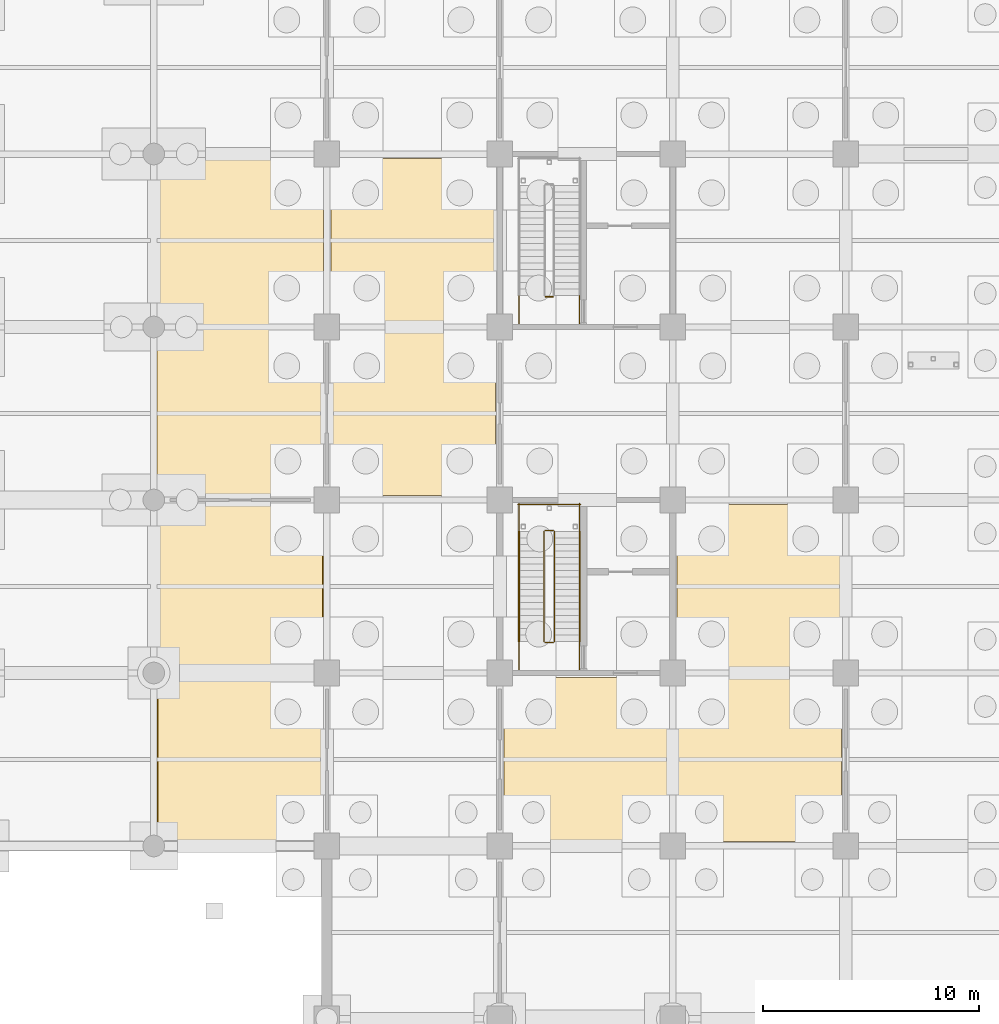
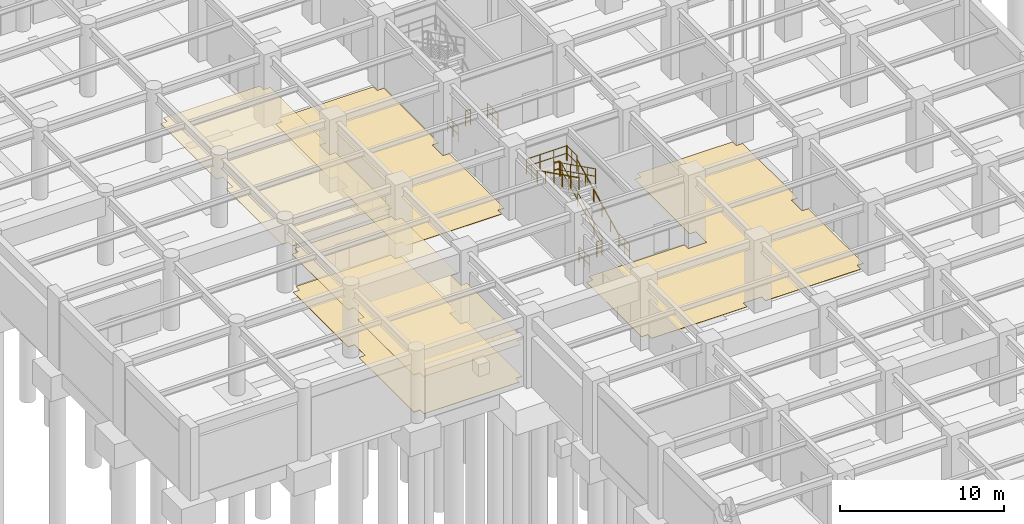
# One storey, part 87 of 97: 14 railings, 5 coverings.
"""IFC4 building model written with IfcOpenShell, lengths in metres."""

from ifc_helpers import new_model, si_unit, direction, frame, origin, origin_2d, place, context, subcontext, project, spatial, polyline, circle, outline, extrude, material, layer, layer_set, type_object, element, save


model = new_model("IFC4")

# Units and contexts
model_context = context("Model", 3, precision=1e-05, world=origin(), true_north=direction((0.0, 1.0)))
body_context = subcontext(model_context, "Body", "Model", "MODEL_VIEW")
ifc_project = project(units=[si_unit("LENGTHUNIT", "METRE"), si_unit("AREAUNIT", "SQUARE_METRE"), si_unit("VOLUMEUNIT", "CUBIC_METRE"), si_unit("PLANEANGLEUNIT", "RADIAN"), si_unit("MASSUNIT", "GRAM", prefix="KILO")], contexts=[model_context])

# Site, building, storey
site_placement = place(None, origin())
site = spatial("IfcSite", under=ifc_project, at=site_placement, CompositionType="ELEMENT")
building_placement = place(site_placement, origin())
building = spatial("IfcBuilding", under=site, at=building_placement, Name="Haebicheon Civic Stadium", CompositionType="ELEMENT")
storey_placement = place(building_placement, frame((0.0, 0.0, -5.39990234375)))
storey = spatial("IfcBuildingStorey", under=building, at=storey_placement, Name="B1", CompositionType="ELEMENT", Elevation=-5.39990234375)

# Coverings
ifc_material_1 = material(Name="Perforated mineral-fibre acoustic board", Category="gypsum")
ifc_layer_1 = layer(ifc_material_1, 0.0400390625, Name="Perforated mineral-fibre acoustic board")
ifc_layer_set_1 = layer_set([ifc_layer_1], Name="Perforated mineral-fibre acoustic board")
covering_type_1 = type_object("IfcCoveringType", Name="COV-CLG-AC", PredefinedType="CEILING", material=ifc_layer_set_1)
covering_1_placement = place(storey_placement, frame((0.0, 0.0, 2.809814453125)))
element("IfcCovering", 1, at=covering_1_placement, inside=storey, type_object=covering_type_1, material=ifc_layer_set_1, Name="B1 Metro Underpass Concourse acoustic ceiling", PredefinedType="CEILING", context=body_context, shape_type="SweptSolid", body=[
    extrude(outline(polyline([(16.594970703125, 32.14501953125), (16.594970703125, 32.594970703125), (16.14501953125, 32.594970703125), (16.14501953125, 39.405029296875), (16.594970703125, 39.405029296875), (16.594970703125, 40.594970703125), (16.14501953125, 40.594970703125), (16.14501953125, 47.405029296875), (16.594970703125, 47.405029296875), (16.594970703125, 47.85498046875), (23.405029296875, 47.85498046875), (23.405029296875, 47.405029296875), (23.85498046875, 47.405029296875), (23.85498046875, 40.594970703125), (23.405029296875, 40.594970703125), (23.405029296875, 39.405029296875), (23.85498046875, 39.405029296875), (23.85498046875, 32.594970703125), (23.405029296875, 32.594970703125), (23.405029296875, 32.14501953125), (16.594970703125, 32.14501953125)])), origin(), (0.0, 0.0, 1.0), 0.0400390625),
])
covering_2_placement = place(storey_placement, frame((0.0, 0.0, 2.809814453125)))
element("IfcCovering", 2, at=covering_2_placement, inside=storey, type_object=covering_type_1, material=ifc_layer_set_1, Name="B1 Bicycle Parking and Locker Store acoustic ceiling", PredefinedType="CEILING", context=body_context, shape_type="SweptSolid", body=[
    extrude(outline(polyline([(16.594970703125, 48.14501953125), (16.594970703125, 48.594970703125), (16.14501953125, 48.594970703125), (16.14501953125, 55.405029296875), (16.594970703125, 55.405029296875), (16.594970703125, 56.594970703125), (16.14501953125, 56.594970703125), (16.14501953125, 63.405029296875), (16.594970703125, 63.405029296875), (16.594970703125, 63.85498046875), (23.405029296875, 63.85498046875), (23.405029296875, 63.405029296875), (23.85498046875, 63.405029296875), (23.85498046875, 56.594970703125), (23.405029296875, 56.594970703125), (23.405029296875, 55.405029296875), (23.85498046875, 55.405029296875), (23.85498046875, 48.594970703125), (23.405029296875, 48.594970703125), (23.405029296875, 48.14501953125), (16.594970703125, 48.14501953125)])), origin(), (0.0, 0.0, 1.0), 0.0400390625),
])
ifc_material_2 = material(Name="Quartz epoxy resin mortar", Category="concrete")
ifc_layer_2 = layer(ifc_material_2, 0.030029296875, Name="Quartz epoxy resin mortar")
ifc_layer_set_2 = layer_set([ifc_layer_2], Name="Quartz epoxy resin mortar")
covering_type_2 = type_object("IfcCoveringType", Name="COV-FLR-EPX", PredefinedType="FLOORING", material=ifc_layer_set_2)
covering_3_placement = place(storey_placement, origin())
element("IfcCovering", 3, at=covering_3_placement, inside=storey, type_object=covering_type_2, material=ifc_layer_set_2, Name="B1 Athlete Indoor Warm-Up Sprint Hall non-slip floor finish", PredefinedType="FLOORING", context=body_context, shape_type="SweptSolid", body=[
    extrude(outline(polyline([(24.64990234375, 48.199951171875), (24.64990234375, 48.64990234375), (24.199951171875, 48.64990234375), (24.199951171875, 55.35009765625), (24.64990234375, 55.35009765625), (24.64990234375, 56.64990234375), (24.199951171875, 56.64990234375), (24.199951171875, 63.35009765625), (24.64990234375, 63.35009765625), (24.64990234375, 63.800048828125), (31.35009765625, 63.800048828125), (31.35009765625, 63.35009765625), (31.800048828125, 63.35009765625), (31.800048828125, 56.64990234375), (31.35009765625, 56.64990234375), (31.35009765625, 55.35009765625), (31.800048828125, 55.35009765625), (31.800048828125, 48.64990234375), (31.35009765625, 48.64990234375), (31.35009765625, 48.199951171875), (24.64990234375, 48.199951171875)])), origin(), (0.0, 0.0, 1.0), 0.02978515625),
])
covering_4_placement = place(storey_placement, origin())
element("IfcCovering", 4, at=covering_4_placement, inside=storey, type_object=covering_type_2, material=ifc_layer_set_2, Name="B1 Post-Match Press Conference Hall non-slip floor finish", PredefinedType="FLOORING", context=body_context, shape_type="SweptSolid", body=[
    extrude(outline(polyline([(32.199951171875, 39.35009765625), (32.64990234375, 39.35009765625), (32.64990234375, 39.800048828125), (39.35009765625, 39.800048828125), (39.35009765625, 39.35009765625), (40.64990234375, 39.35009765625), (40.64990234375, 40.64990234375), (40.199951171875, 40.64990234375), (40.199951171875, 47.35009765625), (40.64990234375, 47.35009765625), (40.64990234375, 47.800048828125), (47.35009765625, 47.800048828125), (47.35009765625, 47.35009765625), (47.800048828125, 47.35009765625), (47.800048828125, 40.64990234375), (47.35009765625, 40.64990234375), (47.35009765625, 39.35009765625), (47.800048828125, 39.35009765625), (47.800048828125, 32.64990234375), (47.35009765625, 32.64990234375), (47.35009765625, 32.199951171875), (40.64990234375, 32.199951171875), (40.64990234375, 32.64990234375), (39.35009765625, 32.64990234375), (39.35009765625, 32.199951171875), (32.64990234375, 32.199951171875), (32.64990234375, 32.64990234375), (32.199951171875, 32.64990234375), (32.199951171875, 39.35009765625)])), origin(), (0.0, 0.0, 1.0), 0.02978515625),
])
covering_5_placement = place(storey_placement, origin())
element("IfcCovering", 5, at=covering_5_placement, inside=storey, type_object=covering_type_2, material=ifc_layer_set_2, Name="B1 Metro Underpass Concourse non-slip floor finish", PredefinedType="FLOORING", context=body_context, shape_type="SweptSolid", body=[
    extrude(outline(polyline([(16.64990234375, 32.199951171875), (16.64990234375, 32.64990234375), (16.199951171875, 32.64990234375), (16.199951171875, 39.35009765625), (16.64990234375, 39.35009765625), (16.64990234375, 40.64990234375), (16.199951171875, 40.64990234375), (16.199951171875, 47.35009765625), (16.64990234375, 47.35009765625), (16.64990234375, 47.800048828125), (23.35009765625, 47.800048828125), (23.35009765625, 47.35009765625), (23.800048828125, 47.35009765625), (23.800048828125, 40.64990234375), (23.35009765625, 40.64990234375), (23.35009765625, 39.35009765625), (23.800048828125, 39.35009765625), (23.800048828125, 32.64990234375), (23.35009765625, 32.64990234375), (23.35009765625, 32.199951171875), (16.64990234375, 32.199951171875)])), origin(), (0.0, 0.0, 1.0), 0.02978515625),
])

# Railings
ifc_material_3 = material(Name="Galvanised painted steel SM355", Category="steel")
railing_type_1 = type_object("IfcRailingType", Name="RL-GRD-1150", PredefinedType="GUARDRAIL", material=ifc_material_3)
railing_1_placement = place(storey_placement, frame((34.530029296875, 41.449951171875, 0.14990234375)))
element("IfcRailing", 6, at=railing_1_placement, inside=storey, type_object=railing_type_1, material=ifc_material_3, Name="B1 ST-01 stair guard 1", PredefinedType="GUARDRAIL", context=body_context, shape_type="SweptSolid", body=[
    extrude(circle(Radius=0.02392578125, at=origin_2d()), frame((0.0, 0.0, 1.1259765625), z_axis=(0.0, 0.894427191, 0.4472135955), x_axis=(-1.0, 0.0, 0.0)), (0.0, 0.0, 1.0), 5.7021484375),
    extrude(circle(Radius=0.02392578125, at=origin_2d()), frame((0.0, 0.0, 0.574951171875), z_axis=(0.0, 0.894427191, 0.4472135955), x_axis=(-1.0, 0.0, 0.0)), (0.0, 0.0, 1.0), 5.7021484375),
    extrude(circle(Radius=0.02099609375, at=origin_2d()), origin(), (0.0, 0.0, 1.0), 1.101806640625),
    extrude(circle(Radius=0.02099609375, at=origin_2d()), frame((0.0, 1.02001953125, 0.510009765625)), (0.0, 0.0, 1.0), 1.101806640625),
    extrude(circle(Radius=0.02099609375, at=origin_2d()), frame((0.0, 2.0400390625, 1.02001953125)), (0.0, 0.0, 1.0), 1.101806640625),
    extrude(circle(Radius=0.02099609375, at=origin_2d()), frame((0.0, 3.06005859375, 1.530029296875)), (0.0, 0.0, 1.0), 1.101806640625),
    extrude(circle(Radius=0.02099609375, at=origin_2d()), frame((0.0, 4.080078125, 2.0400390625)), (0.0, 0.0, 1.0), 1.101806640625),
    extrude(circle(Radius=0.02099609375, at=origin_2d()), frame((0.0, 5.10009765625, 2.550048828125)), (0.0, 0.0, 1.0), 1.101806640625),
])
railing_2_placement = place(storey_placement, frame((34.47998046875, 46.60009765625, 2.699951171875)))
element("IfcRailing", 7, at=railing_2_placement, inside=storey, type_object=railing_type_1, material=ifc_material_3, Name="B1 ST-01 stair guard 2", PredefinedType="GUARDRAIL", context=body_context, shape_type="SweptSolid", body=[
    extrude(circle(Radius=0.02392578125, at=origin_2d()), frame((0.0, 0.0, 1.1259765625), z_axis=(-1.0, 0.0, 0.0), x_axis=(0.0, -1.0, 0.0)), (0.0, 0.0, 1.0), 0.3798828125),
    extrude(circle(Radius=0.02392578125, at=origin_2d()), frame((0.0, 0.0, 0.574951171875), z_axis=(-1.0, 0.0, 0.0), x_axis=(0.0, -1.0, 0.0)), (0.0, 0.0, 1.0), 0.3798828125),
    extrude(circle(Radius=0.02099609375, at=origin_2d()), origin(), (0.0, 0.0, 1.0), 1.101806640625),
    extrude(circle(Radius=0.02099609375, at=origin_2d()), frame((-0.3798828125, 0.0, 0.0)), (0.0, 0.0, 1.0), 1.101806640625),
])
for number, where, name in (
    (8, (35.68994140625, 46.550048828125, 2.699951171875), "B1 ST-01 stair guard 3"),
    (9, (32.889892578125, 46.550048828125, 2.699951171875), "B1 ST-01 stair guard 4"),
):
    element("IfcRailing", number, at=place(storey_placement, frame(where)), inside=storey, type_object=railing_type_1, material=ifc_material_3, Name=name, PredefinedType="GUARDRAIL", context=body_context, shape_type="SweptSolid", body=[
        extrude(circle(Radius=0.02392578125, at=origin_2d()), frame((0.0, 0.0, 1.1259765625), z_axis=(0.0, 1.0, 0.0), x_axis=(-1.0, 0.0, 0.0)), (0.0, 0.0, 1.0), 1.2900390625),
        extrude(circle(Radius=0.02392578125, at=origin_2d()), frame((0.0, 0.0, 0.574951171875), z_axis=(0.0, 1.0, 0.0), x_axis=(-1.0, 0.0, 0.0)), (0.0, 0.0, 1.0), 1.2900390625),
        extrude(circle(Radius=0.02099609375, at=origin_2d()), origin(), (0.0, 0.0, 1.0), 1.101806640625),
        extrude(circle(Radius=0.02099609375, at=origin_2d()), frame((0.0, 0.64501953125, 0.0)), (0.0, 0.0, 1.0), 1.101806640625),
        extrude(circle(Radius=0.02099609375, at=origin_2d()), frame((0.0, 1.2900390625, 0.0)), (0.0, 0.0, 1.0), 1.101806640625),
    ])
railing_3_placement = place(storey_placement, frame((35.739990234375, 47.7900390625, 2.699951171875)))
element("IfcRailing", 10, at=railing_3_placement, inside=storey, type_object=railing_type_1, material=ifc_material_3, Name="B1 ST-01 stair guard 5", PredefinedType="GUARDRAIL", context=body_context, shape_type="SweptSolid", body=[
    extrude(circle(Radius=0.02392578125, at=origin_2d()), frame((0.0, 0.0, 1.1259765625), z_axis=(-1.0, 0.0, 0.0), x_axis=(0.0, -1.0, 0.0)), (0.0, 0.0, 1.0), 2.89990234375),
    extrude(circle(Radius=0.02392578125, at=origin_2d()), frame((0.0, 0.0, 0.574951171875), z_axis=(-1.0, 0.0, 0.0), x_axis=(0.0, -1.0, 0.0)), (0.0, 0.0, 1.0), 2.89990234375),
    extrude(circle(Radius=0.02099609375, at=origin_2d()), origin(), (0.0, 0.0, 1.0), 1.101806640625),
    extrude(circle(Radius=0.02099609375, at=origin_2d()), frame((-0.966552734375, 0.0, 0.0)), (0.0, 0.0, 1.0), 1.101806640625),
    extrude(circle(Radius=0.02099609375, at=origin_2d()), frame((-1.933349609375, 0.0, 0.0)), (0.0, 0.0, 1.0), 1.101806640625),
    extrude(circle(Radius=0.02099609375, at=origin_2d()), frame((-2.89990234375, 0.0, 0.0)), (0.0, 0.0, 1.0), 1.101806640625),
])
railing_4_placement = place(storey_placement, frame((34.050048828125, 46.550048828125, 2.849853515625)))
element("IfcRailing", 11, at=railing_4_placement, inside=storey, type_object=railing_type_1, material=ifc_material_3, Name="B1 ST-01 stair guard 6", PredefinedType="GUARDRAIL", context=body_context, shape_type="SweptSolid", body=[
    extrude(circle(Radius=0.02392578125, at=origin_2d()), frame((0.0, 0.0, 1.1259765625), z_axis=(0.0, -0.894427191, 0.4472135955), x_axis=(1.0, 0.0, 0.0)), (0.0, 0.0, 1.0), 5.7021484375),
    extrude(circle(Radius=0.02392578125, at=origin_2d()), frame((0.0, 0.0, 0.574951171875), z_axis=(0.0, -0.894427191, 0.4472135955), x_axis=(1.0, 0.0, 0.0)), (0.0, 0.0, 1.0), 5.7021484375),
    extrude(circle(Radius=0.02099609375, at=origin_2d()), origin(), (0.0, 0.0, 1.0), 1.101806640625),
    extrude(circle(Radius=0.02099609375, at=origin_2d()), frame((0.0, -1.02001953125, 0.510009765625)), (0.0, 0.0, 1.0), 1.101806640625),
    extrude(circle(Radius=0.02099609375, at=origin_2d()), frame((0.0, -2.0400390625, 1.02001953125)), (0.0, 0.0, 1.0), 1.101806640625),
    extrude(circle(Radius=0.02099609375, at=origin_2d()), frame((0.0, -3.06005859375, 1.530029296875)), (0.0, 0.0, 1.0), 1.101806640625),
    extrude(circle(Radius=0.02099609375, at=origin_2d()), frame((0.0, -4.080078125, 2.0400390625)), (0.0, 0.0, 1.0), 1.101806640625),
    extrude(circle(Radius=0.02099609375, at=origin_2d()), frame((0.0, -5.10009765625, 2.550048828125)), (0.0, 0.0, 1.0), 1.101806640625),
])
railing_5_placement = place(storey_placement, frame((34.47998046875, 41.39990234375, 0.0)))
element("IfcRailing", 12, at=railing_5_placement, inside=storey, type_object=railing_type_1, material=ifc_material_3, Name="B1 ST-01 stair guard 7", PredefinedType="GUARDRAIL", context=body_context, shape_type="SweptSolid", body=[
    extrude(circle(Radius=0.02392578125, at=origin_2d()), frame((0.0, 0.0, 1.1259765625), z_axis=(-1.0, 0.0, 0.0), x_axis=(0.0, -1.0, 0.0)), (0.0, 0.0, 1.0), 0.3798828125),
    extrude(circle(Radius=0.02392578125, at=origin_2d()), frame((0.0, 0.0, 0.574951171875), z_axis=(-1.0, 0.0, 0.0), x_axis=(0.0, -1.0, 0.0)), (0.0, 0.0, 1.0), 0.3798828125),
    extrude(circle(Radius=0.02099609375, at=origin_2d()), origin(), (0.0, 0.0, 1.0), 1.101806640625),
    extrude(circle(Radius=0.02099609375, at=origin_2d()), frame((-0.3798828125, 0.0, 0.0)), (0.0, 0.0, 1.0), 1.101806640625),
])
for number, where, name in (
    (13, (35.68994140625, 40.159912109375, 0.0), "B1 ST-01 stair guard 8"),
    (14, (32.889892578125, 40.159912109375, 0.0), "B1 ST-01 stair guard 9"),
):
    element("IfcRailing", number, at=place(storey_placement, frame(where)), inside=storey, type_object=railing_type_1, material=ifc_material_3, Name=name, PredefinedType="GUARDRAIL", context=body_context, shape_type="SweptSolid", body=[
        extrude(circle(Radius=0.02392578125, at=origin_2d()), frame((0.0, 0.0, 1.1259765625), z_axis=(0.0, 1.0, 0.0), x_axis=(-1.0, 0.0, 0.0)), (0.0, 0.0, 1.0), 1.2900390625),
        extrude(circle(Radius=0.02392578125, at=origin_2d()), frame((0.0, 0.0, 0.574951171875), z_axis=(0.0, 1.0, 0.0), x_axis=(-1.0, 0.0, 0.0)), (0.0, 0.0, 1.0), 1.2900390625),
        extrude(circle(Radius=0.02099609375, at=origin_2d()), origin(), (0.0, 0.0, 1.0), 1.101806640625),
        extrude(circle(Radius=0.02099609375, at=origin_2d()), frame((0.0, 0.64501953125, 0.0)), (0.0, 0.0, 1.0), 1.101806640625),
        extrude(circle(Radius=0.02099609375, at=origin_2d()), frame((0.0, 1.2900390625, 0.0)), (0.0, 0.0, 1.0), 1.101806640625),
    ])
railing_6_placement = place(storey_placement, frame((34.4599609375, 57.39990234375, 0.0)))
element("IfcRailing", 15, at=railing_6_placement, inside=storey, type_object=railing_type_1, material=ifc_material_3, Name="B1 ST-02 stair guard 7", PredefinedType="GUARDRAIL", context=body_context, shape_type="SweptSolid", body=[
    extrude(circle(Radius=0.02392578125, at=origin_2d()), frame((0.0, 0.0, 1.1259765625), z_axis=(-1.0, 0.0, 0.0), x_axis=(0.0, -1.0, 0.0)), (0.0, 0.0, 1.0), 0.33984375),
    extrude(circle(Radius=0.02392578125, at=origin_2d()), frame((0.0, 0.0, 0.574951171875), z_axis=(-1.0, 0.0, 0.0), x_axis=(0.0, -1.0, 0.0)), (0.0, 0.0, 1.0), 0.33984375),
    extrude(circle(Radius=0.02099609375, at=origin_2d()), origin(), (0.0, 0.0, 1.0), 1.101806640625),
    extrude(circle(Radius=0.02099609375, at=origin_2d()), frame((-0.33984375, 0.0, 0.0)), (0.0, 0.0, 1.0), 1.101806640625),
])
for number, where, name in (
    (16, (35.68994140625, 56.159912109375, 0.0), "B1 ST-02 stair guard 8"),
    (17, (32.889892578125, 56.159912109375, 0.0), "B1 ST-02 stair guard 9"),
):
    element("IfcRailing", number, at=place(storey_placement, frame(where)), inside=storey, type_object=railing_type_1, material=ifc_material_3, Name=name, PredefinedType="GUARDRAIL", context=body_context, shape_type="SweptSolid", body=[
        extrude(circle(Radius=0.02392578125, at=origin_2d()), frame((0.0, 0.0, 1.1259765625), z_axis=(0.0, 1.0, 0.0), x_axis=(-1.0, 0.0, 0.0)), (0.0, 0.0, 1.0), 1.2900390625),
        extrude(circle(Radius=0.02392578125, at=origin_2d()), frame((0.0, 0.0, 0.574951171875), z_axis=(0.0, 1.0, 0.0), x_axis=(-1.0, 0.0, 0.0)), (0.0, 0.0, 1.0), 1.2900390625),
        extrude(circle(Radius=0.02099609375, at=origin_2d()), origin(), (0.0, 0.0, 1.0), 1.101806640625),
        extrude(circle(Radius=0.02099609375, at=origin_2d()), frame((0.0, 0.64501953125, 0.0)), (0.0, 0.0, 1.0), 1.101806640625),
        extrude(circle(Radius=0.02099609375, at=origin_2d()), frame((0.0, 1.2900390625, 0.0)), (0.0, 0.0, 1.0), 1.101806640625),
    ])
ifc_material_4 = material(Name="Stainless steel 316", Category="steel")
railing_type_2 = type_object("IfcRailingType", Name="RL-HND-900", PredefinedType="HANDRAIL", material=ifc_material_4)
railing_7_placement = place(storey_placement, frame((35.68994140625, 41.449951171875, 0.14990234375)))
element("IfcRailing", 18, at=railing_7_placement, inside=storey, type_object=railing_type_2, material=ifc_material_4, Name="B1 ST-01 stair handrail 1", PredefinedType="HANDRAIL", context=body_context, shape_type="SweptSolid", body=[
    extrude(circle(Radius=0.02392578125, at=origin_2d()), frame((0.0, 0.0, 0.8759765625), z_axis=(0.0, 0.894427191, 0.4472135955), x_axis=(-1.0, 0.0, 0.0)), (0.0, 0.0, 1.0), 5.7021484375),
    extrude(circle(Radius=0.02099609375, at=origin_2d()), origin(), (0.0, 0.0, 1.0), 0.851806640625),
    extrude(circle(Radius=0.02099609375, at=origin_2d()), frame((0.0, 1.02001953125, 0.510009765625)), (0.0, 0.0, 1.0), 0.851806640625),
    extrude(circle(Radius=0.02099609375, at=origin_2d()), frame((0.0, 2.0400390625, 1.02001953125)), (0.0, 0.0, 1.0), 0.851806640625),
    extrude(circle(Radius=0.02099609375, at=origin_2d()), frame((0.0, 3.06005859375, 1.530029296875)), (0.0, 0.0, 1.0), 0.851806640625),
    extrude(circle(Radius=0.02099609375, at=origin_2d()), frame((0.0, 4.080078125, 2.0400390625)), (0.0, 0.0, 1.0), 0.851806640625),
    extrude(circle(Radius=0.02099609375, at=origin_2d()), frame((0.0, 5.10009765625, 2.550048828125)), (0.0, 0.0, 1.0), 0.851806640625),
])
railing_8_placement = place(storey_placement, frame((32.889892578125, 46.550048828125, 2.849853515625)))
element("IfcRailing", 19, at=railing_8_placement, inside=storey, type_object=railing_type_2, material=ifc_material_4, Name="B1 ST-01 stair handrail 2", PredefinedType="HANDRAIL", context=body_context, shape_type="SweptSolid", body=[
    extrude(circle(Radius=0.02392578125, at=origin_2d()), frame((0.0, 0.0, 0.8759765625), z_axis=(0.0, -0.894427191, 0.4472135955), x_axis=(1.0, 0.0, 0.0)), (0.0, 0.0, 1.0), 5.7021484375),
    extrude(circle(Radius=0.02099609375, at=origin_2d()), origin(), (0.0, 0.0, 1.0), 0.851806640625),
    extrude(circle(Radius=0.02099609375, at=origin_2d()), frame((0.0, -1.02001953125, 0.510009765625)), (0.0, 0.0, 1.0), 0.851806640625),
    extrude(circle(Radius=0.02099609375, at=origin_2d()), frame((0.0, -2.0400390625, 1.02001953125)), (0.0, 0.0, 1.0), 0.851806640625),
    extrude(circle(Radius=0.02099609375, at=origin_2d()), frame((0.0, -3.06005859375, 1.530029296875)), (0.0, 0.0, 1.0), 0.851806640625),
    extrude(circle(Radius=0.02099609375, at=origin_2d()), frame((0.0, -4.080078125, 2.0400390625)), (0.0, 0.0, 1.0), 0.851806640625),
    extrude(circle(Radius=0.02099609375, at=origin_2d()), frame((0.0, -5.10009765625, 2.550048828125)), (0.0, 0.0, 1.0), 0.851806640625),
])

save(model, "model.ifc")
